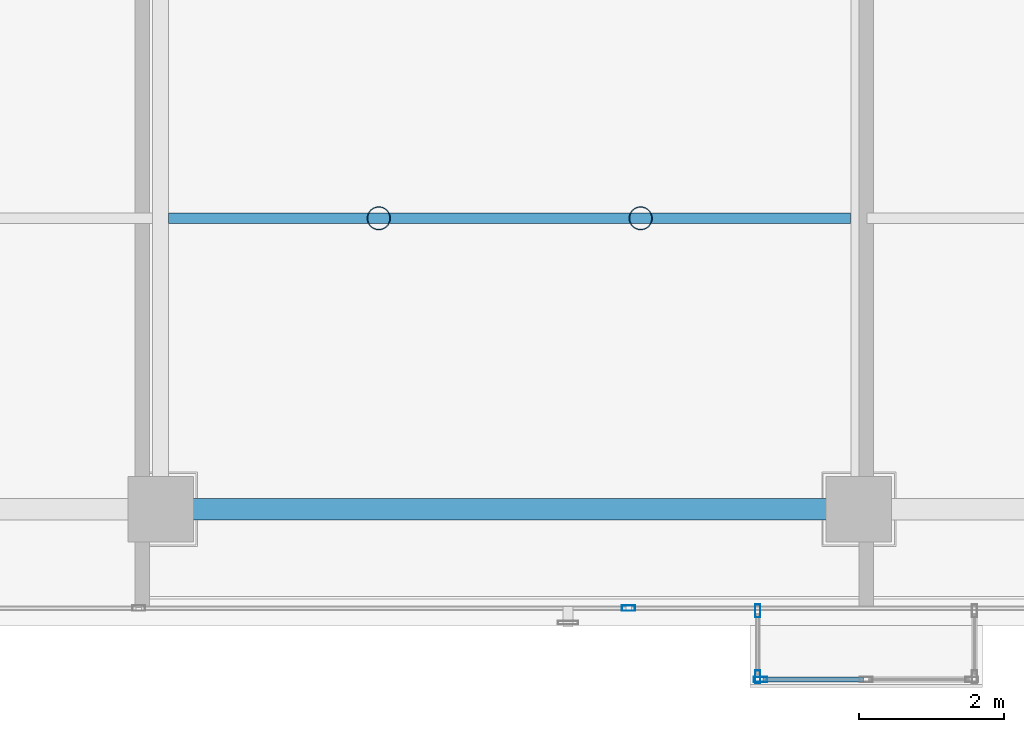
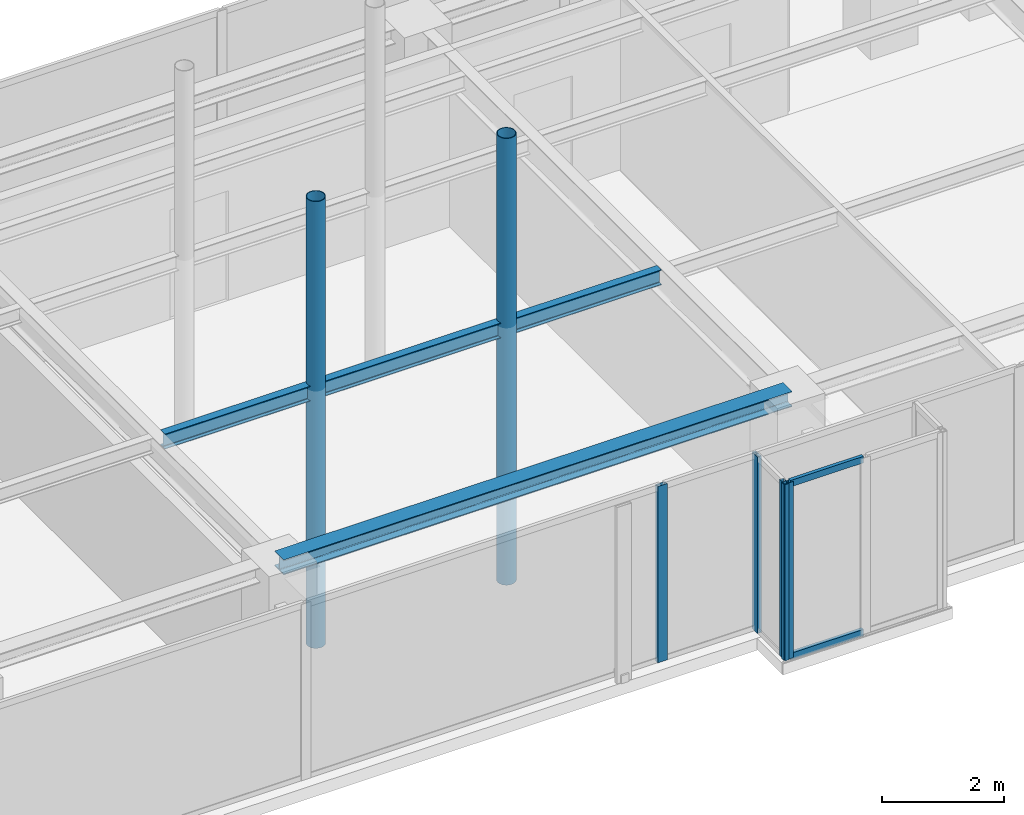
# One storey, part 7 of 32: 8 members, 2 beams, 3 elements without a shape of their own.
"""IFC4 building model written with IfcOpenShell, lengths in metres."""

import ifcopenshell
import ifcopenshell.guid

model = None  # the IFC model being written
_history = None  # IfcOwnerHistory: only IFC2X3 demands one
_inside = {}  # id of a spatial element -> (the spatial element, [elements in it])
_under = {}  # id of a project, library or spatial element -> (it, [spatial elements below it])
_declared = {}  # id of a project -> (the project, [libraries it declares])
_typed = {}  # id of a type object -> (the type object, [elements of that type])
_made_of = {}  # id of a material, layer set ... -> (it, [elements and type objects made of it])


def new_model(schema):
    """Start an empty IFC model of exactly this schema.

    Asked for "IFC4X3", IfcOpenShell would pick the latest addendum, in which some entities
    have other attributes; the version numbers below select the first issue.
    IFC2X3 requires an IfcOwnerHistory on every rooted entity: one is made here for all.
    """
    global model, _history
    if schema == "IFC4X3":
        model = ifcopenshell.file(schema_version=(4, 3, 0, 0))
    else:
        model = ifcopenshell.file(schema=schema)
    _inside.clear()
    _under.clear()
    _declared.clear()
    _typed.clear()
    _made_of.clear()
    _history = None
    if model.schema == "IFC2X3":
        org = make("IfcOrganization", Name="unknown")
        user = make(
            "IfcPersonAndOrganization",
            ThePerson=make("IfcPerson", FamilyName="unknown"),
            TheOrganization=org,
        )
        app = make(
            "IfcApplication",
            ApplicationDeveloper=org,
            Version="unknown",
            ApplicationFullName="unknown",
            ApplicationIdentifier="unknown",
        )
        _history = make(
            "IfcOwnerHistory",
            OwningUser=user,
            OwningApplication=app,
            ChangeAction="ADDED",
            CreationDate=0,
        )
    return model


def make(cls, **values):
    """One entity of the class cls with the attributes given. An attribute that is None is left unset."""
    return model.create_entity(
        cls, **{name: value for name, value in values.items() if value is not None}
    )


def rooted(cls, **values):
    """An entity with a GlobalId (a new one), such as an element, a storey or a relation."""
    return make(cls, GlobalId=ifcopenshell.guid.new(), OwnerHistory=_history, **values)


def si_unit(unit_type, name, prefix=None):
    """IfcSIUnit, for example si_unit("LENGTHUNIT", "METRE", prefix="MILLI")."""
    return make("IfcSIUnit", UnitType=unit_type, Prefix=prefix, Name=name)


def assignment(units):
    """IfcUnitAssignment: the units of a project."""
    return None if units is None else make("IfcUnitAssignment", Units=units)


def point(xyz):
    """IfcCartesianPoint."""
    return None if xyz is None else make("IfcCartesianPoint", Coordinates=xyz)


def direction(xyz):
    """IfcDirection."""
    return None if xyz is None else make("IfcDirection", DirectionRatios=xyz)


def frame(location, z_axis=None, x_axis=None):
    """IfcAxis2Placement3D, a coordinate frame: its origin and axes. An axis left out is left unset."""
    return make(
        "IfcAxis2Placement3D",
        Location=point(location),
        Axis=direction(z_axis),
        RefDirection=direction(x_axis),
    )


def frame_2d(location, x_axis=None):
    """IfcAxis2Placement2D, a coordinate frame in the plane: its origin and x axis."""
    return make(
        "IfcAxis2Placement2D", Location=point(location), RefDirection=direction(x_axis)
    )


def origin():
    """The frame at (0, 0, 0) with its axes left unset."""
    return frame((0.0, 0.0, 0.0))


def origin_with_axes():
    """The frame at (0, 0, 0) with the z axis (0, 0, 1) and the x axis (1, 0, 0) written out."""
    return frame((0.0, 0.0, 0.0), z_axis=(0.0, 0.0, 1.0), x_axis=(1.0, 0.0, 0.0))


def origin_2d():
    """The frame at (0, 0) in the plane with its x axis left unset."""
    return frame_2d((0.0, 0.0))


def place(relative_to, where):
    """IfcLocalPlacement: puts the frame where relative to a parent placement (None: the world)."""
    return make(
        "IfcLocalPlacement", PlacementRelTo=relative_to, RelativePlacement=where
    )


def context(
    kind, dimensions, precision=None, world=None, true_north=None, identifier=None
):
    """IfcGeometricRepresentationContext, for example the 3D "Model" context."""
    return make(
        "IfcGeometricRepresentationContext",
        ContextIdentifier=identifier,
        ContextType=kind,
        CoordinateSpaceDimension=dimensions,
        Precision=precision,
        WorldCoordinateSystem=world,
        TrueNorth=true_north,
    )


def subcontext(parent, identifier, kind, view, scale=None):
    """IfcGeometricRepresentationSubContext, for example "Body" below "Model"."""
    return make(
        "IfcGeometricRepresentationSubContext",
        ContextIdentifier=identifier,
        ContextType=kind,
        ParentContext=parent,
        TargetScale=scale,
        TargetView=view,
    )


def project(units=None, contexts=None):
    """IfcProject with its units and contexts."""
    return rooted(
        "IfcProject",
        Name="project",
        RepresentationContexts=contexts,
        UnitsInContext=assignment(units),
    )


def spatial(cls, under=None, at=None, **own):
    """A site, building, storey or space (cls), placed at a placement, below another one or the project."""
    s = rooted(cls, ObjectPlacement=at, **own)
    if under is not None:
        _under.setdefault(under.id(), (under, []))[1].append(s)
    return s


def profile(cls, at=None, kind="AREA", **sizes):
    """A parametric profile (cls). Its sizes go by their IFC names, for example OverallWidth=200.0."""
    return make(cls, ProfileType=kind, Position=at, **sizes)


def hollow_rectangle(**sizes):
    """IfcRectangleHollowProfileDef."""
    return profile("IfcRectangleHollowProfileDef", **sizes)


def hollow_circle(**sizes):
    """IfcCircleHollowProfileDef."""
    return profile("IfcCircleHollowProfileDef", **sizes)


def i_section(**sizes):
    """IfcIShapeProfileDef."""
    return profile("IfcIShapeProfileDef", **sizes)


def extrude(swept, where, along, depth):
    """IfcExtrudedAreaSolid: the profile swept, set in the frame where, extruded along a direction by depth."""
    return make(
        "IfcExtrudedAreaSolid",
        SweptArea=swept,
        Position=where,
        ExtrudedDirection=direction(along),
        Depth=depth,
    )


def shape(context_of_items, identifier, shape_type, items):
    """IfcShapeRepresentation: the items that make up one representation, for example the "Body"."""
    return make(
        "IfcShapeRepresentation",
        ContextOfItems=context_of_items,
        RepresentationIdentifier=identifier,
        RepresentationType=shape_type,
        Items=items,
    )


def source(mapping_origin, context_of_items, identifier, shape_type, items):
    """IfcRepresentationMap: a shape defined once, which mapped items show again and again."""
    return make(
        "IfcRepresentationMap",
        MappingOrigin=mapping_origin,
        MappedRepresentation=shape(context_of_items, identifier, shape_type, items),
    )


def transform(
    local_origin,
    x_axis=None,
    y_axis=None,
    z_axis=None,
    scale=None,
    scale2=None,
    scale3=None,
    uniform=True,
):
    """IfcCartesianTransformationOperator3D, or its non-uniform kind. x_axis, y_axis, z_axis: its Axis1, 2, 3."""
    if uniform:
        return make(
            "IfcCartesianTransformationOperator3D",
            Axis1=direction(x_axis),
            Axis2=direction(y_axis),
            LocalOrigin=point(local_origin),
            Scale=scale,
            Axis3=direction(z_axis),
        )
    return make(
        "IfcCartesianTransformationOperator3DnonUniform",
        Axis1=direction(x_axis),
        Axis2=direction(y_axis),
        LocalOrigin=point(local_origin),
        Scale=scale,
        Axis3=direction(z_axis),
        Scale2=scale2,
        Scale3=scale3,
    )


def mapped(mapping_source, mapping_target):
    """IfcMappedItem: shows the shape of a source again, moved by a transform."""
    return make(
        "IfcMappedItem", MappingSource=mapping_source, MappingTarget=mapping_target
    )


def material(Name=None, Category=None):
    """IfcMaterial."""
    return make("IfcMaterial", Name=Name, Category=Category)


def layer(
    of_material, thickness, ventilated=None, Name=None, Category=None, Priority=None
):
    """IfcMaterialLayer: one layer of a wall or slab, of a material (None: an air gap)."""
    return make(
        "IfcMaterialLayer",
        Material=of_material,
        LayerThickness=thickness,
        IsVentilated=ventilated,
        Name=Name,
        Category=Category,
        Priority=Priority,
    )


def layer_set(layers, Name=None):
    """IfcMaterialLayerSet."""
    return make("IfcMaterialLayerSet", MaterialLayers=layers, LayerSetName=Name)


def material_profile(
    of_material, cross_section, Name=None, Category=None, Priority=None
):
    """IfcMaterialProfile: a cross section and its material."""
    return make(
        "IfcMaterialProfile",
        Name=Name,
        Material=of_material,
        Profile=cross_section,
        Priority=Priority,
        Category=Category,
    )


def profile_set(profiles, Name=None, composite=None):
    """IfcMaterialProfileSet."""
    return make(
        "IfcMaterialProfileSet",
        Name=Name,
        MaterialProfiles=profiles,
        CompositeProfile=composite,
    )


def made_of(thing, what):
    """Note that an element or type object is made of a material, layer set ...; save() writes the relation."""
    if what is not None:
        _made_of.setdefault(what.id(), (what, []))[1].append(thing)
    return thing


def type_object(cls, material=None, **own):
    """A type object (cls), such as IfcWallType, which elements share."""
    return made_of(rooted(cls, **own), material)


def element(
    cls,
    number,
    at=None,
    inside=None,
    cuts=None,
    type_object=None,
    material=None,
    context=None,
    identifier="Body",
    shape_type=None,
    held_by="IfcProductDefinitionShape",
    body=None,
    shapes=None,
    **own,
):
    """One element of the class cls, such as IfcWall. Its Tag is "e" and its number.

    at: its placement. inside: the storey or other place that contains it. cuts: it is an
    opening in that element (IfcRelVoidsElement). A single representation is given by context,
    identifier, shape_type and body (its items); several are given by shapes. held_by: the class
    of the entity that holds the representations. save() writes the other relations.
    """
    e = rooted(cls, Tag="e%d" % number, ObjectPlacement=at, **own)
    if body is not None:
        shapes = [shape(context, identifier, shape_type, body)]
    if shapes is not None:
        e.Representation = make(held_by, Representations=shapes)
    if inside is not None:
        _inside.setdefault(inside.id(), (inside, []))[1].append(e)
    if cuts is not None:
        rooted(
            "IfcRelVoidsElement", RelatingBuildingElement=cuts, RelatedOpeningElement=e
        )
    if type_object is not None:
        _typed.setdefault(type_object.id(), (type_object, []))[1].append(e)
    return made_of(e, material)


def aggregate(whole, parts):
    """IfcRelAggregates: a whole, such as a stair, and the parts it consists of."""
    return rooted("IfcRelAggregates", RelatingObject=whole, RelatedObjects=parts)


def save(model, path):
    """Write the relations noted so far, then the file.

    IfcRelAggregates (storeys below a building ...), IfcRelContainedInSpatialStructure (elements
    in a storey), IfcRelDefinesByType, IfcRelAssociatesMaterial and IfcRelDeclares: one each for
    every whole, place, type object, material and project.
    """
    for whole, parts in _under.values():
        aggregate(whole, parts)
    for where, things in _inside.values():
        rooted(
            "IfcRelContainedInSpatialStructure",
            RelatedElements=things,
            RelatingStructure=where,
        )
    for kind, things in _typed.values():
        rooted("IfcRelDefinesByType", RelatedObjects=things, RelatingType=kind)
    for what, things in _made_of.values():
        rooted("IfcRelAssociatesMaterial", RelatedObjects=things, RelatingMaterial=what)
    for by, libraries in _declared.values():
        rooted("IfcRelDeclares", RelatingContext=by, RelatedDefinitions=libraries)
    model.write(path)


model = new_model("IFC4")

# Units and contexts
model_context = context("Model", 3, precision=1e-05, world=origin(), true_north=direction((0.0, 1.0)))
body_context = subcontext(model_context, "Body", "Model", "MODEL_VIEW")
ifc_project = project(units=[si_unit("LENGTHUNIT", "METRE"), si_unit("AREAUNIT", "SQUARE_METRE"), si_unit("VOLUMEUNIT", "CUBIC_METRE"), si_unit("PLANEANGLEUNIT", "RADIAN"), si_unit("MASSUNIT", "GRAM", prefix="KILO")], contexts=[model_context])

# Site, building, storey
site_placement = place(None, origin())
site = spatial("IfcSite", under=ifc_project, at=site_placement, CompositionType="ELEMENT")
building_placement = place(site_placement, origin())
building = spatial("IfcBuilding", under=site, at=building_placement, Name="Kolvaren Waterfront Exchange", CompositionType="ELEMENT")
storey_placement = place(building_placement, frame((0.0, 0.0, 348.10009765625)))
storey = spatial("IfcBuildingStorey", under=building, at=storey_placement, Name="L89", CompositionType="ELEMENT", Elevation=348.10009765625)

# Beams
ifc_material_1 = material(Name="Steel S355", Category="steel")
ifc_material_profile_1 = material_profile(ifc_material_1, i_section(OverallWidth=0.300048828125, OverallDepth=0.300048828125, WebThickness=0.010986328125, FlangeThickness=0.01904296875, FilletRadius=0.027099609375, at=origin_2d()), Name="HEB300")
ifc_profile_set_1 = profile_set([ifc_material_profile_1], Name="Steel S355")
beam_type_1 = type_object("IfcBeamType", Name="STR-BM-HEB300", PredefinedType="SPANDREL", material=ifc_profile_set_1)
beam_1_placement = place(storey_placement, frame((27.199951171875, 5.199951171875, 3.369873046875), z_axis=(1.0, 0.0, 0.0), x_axis=(0.0, 1.0, 0.0)))
element("IfcBeam", 1, at=beam_1_placement, inside=storey, type_object=beam_type_1, Name="L89 east-arm spandrel S2", PredefinedType="SPANDREL", context=body_context, shape_type="SweptSolid", body=[
    extrude(i_section(OverallWidth=0.300048828125, OverallDepth=0.300048828125, WebThickness=0.010986328125, FlangeThickness=0.01904296875, FilletRadius=0.027099609375, at=origin_2d()), origin(), (0.0, 0.0, 1.0), 9.60009765625),
])
ifc_material_profile_2 = material_profile(ifc_material_1, i_section(OverallWidth=0.14990234375, OverallDepth=0.300048828125, WebThickness=0.007080078125, FlangeThickness=0.0107421875, FilletRadius=0.014892578125, at=origin_2d()), Name="IPE300")
ifc_profile_set_2 = profile_set([ifc_material_profile_2], Name="Steel S355")
beam_type_2 = type_object("IfcBeamType", Name="STR-BM-IPE300", PredefinedType="JOIST", material=ifc_profile_set_2)
beam_2_placement = place(storey_placement, frame((27.31201171875, 9.199951171875, 3.369873046875), z_axis=(1.0, 0.0, 0.0), x_axis=(0.0, 1.0, 0.0)))
element("IfcBeam", 2, at=beam_2_placement, inside=storey, type_object=beam_type_2, Name="L89 east-arm composite joist 2B", PredefinedType="JOIST", context=body_context, shape_type="SweptSolid", body=[
    extrude(i_section(OverallWidth=0.14990234375, OverallDepth=0.300048828125, WebThickness=0.007080078125, FlangeThickness=0.0107421875, FilletRadius=0.014892578125, at=origin_2d()), origin(), (0.0, 0.0, 1.0), 9.3759765625),
])

# Members
ifc_material_2 = material(Name="Steel S460", Category="steel")
ifc_material_profile_3 = material_profile(ifc_material_2, hollow_circle(Radius=0.161865234375, WallThickness=0.012451171875, at=origin_2d()), Name="CHS323.9x12.5")
ifc_profile_set_3 = profile_set([ifc_material_profile_3], Name="Steel S460")
member_type_1 = type_object("IfcMemberType", Name="STR-ST-CHS323", PredefinedType="STRUT", material=ifc_profile_set_3)
for number, where, z_axis, x_axis, name in (
    (3, (30.199951171875, 9.199951171875, -1.7001953125), (0.0, 0.0, 1.0), (1.0, 0.0, 0.0), "Crown 520t TUNED MASS DAMPER pendulum hanger 1"),
    (4, (33.800048828125, 9.199951171875, -1.7001953125), (0.0, 0.0, 1.0), (1.0, 0.0, 0.0), "Crown 520t TUNED MASS DAMPER pendulum hanger 2"),
):
    element("IfcMember", number, at=place(storey_placement, frame(where, z_axis=z_axis, x_axis=x_axis)), inside=storey, type_object=member_type_1, Name=name, PredefinedType="STRUT", context=body_context, shape_type="SweptSolid", body=[
        extrude(hollow_circle(Radius=0.161865234375, WallThickness=0.012451171875, at=origin_2d()), origin(), (0.0, 0.0, 1.0), 8.920166015625),
    ])

# Curtain wall, members
ifc_material_3 = material(Name="Anodised bronze aluminium 6063-T6", Category="aluminium")
ifc_layer_1 = layer(ifc_material_3, 0.219970703125, Name="Anodised bronze aluminium 6063-T6")
ifc_layer_set_1 = layer_set([ifc_layer_1], Name="Anodised bronze aluminium 6063-T6")
curtain_wall_type_1 = type_object("IfcCurtainWallType", Name="ARC-CW-SYS3", PredefinedType="USERDEFINED", material=ifc_layer_set_1)
curtain_wall_1_placement = place(storey_placement, origin())
curtain_wall_1 = element("IfcCurtainWall", 5, at=curtain_wall_1_placement, inside=storey, type_object=curtain_wall_type_1, Name="L89 stick curtain wall CW3 (CW-L89-BOX)", ObjectType="STICK CURTAIN WALL", PredefinedType="USERDEFINED")
ifc_material_profile_4 = material_profile(ifc_material_3, hollow_rectangle(XDim=0.06494140625, YDim=0.1298828125, WallThickness=0.00390625, at=origin_2d()), Name="ALU-TRN-130x65x4")
ifc_profile_set_4 = profile_set([ifc_material_profile_4], Name="Anodised bronze aluminium 6063-T6")
member_type_2 = type_object("IfcMemberType", Name="ARC-CWT-130", PredefinedType="USERDEFINED", material=ifc_profile_set_4)
shared_shape_1 = source(origin_with_axes(), body_context, "Body", "SweptSolid", [
    extrude(hollow_rectangle(XDim=0.06494140625, YDim=0.1298828125, WallThickness=0.00390625, at=origin_2d()), origin(), (0.0, 0.0, 1.0), 1.37744140625),
])
member_1_placement = place(storey_placement, frame((35.485107421875, 2.860107421875, 0.032470703125), z_axis=(1.0, 0.0, 0.0), x_axis=(0.0, 1.0, 0.0)))
member_1 = element("IfcMember", 6, at=member_1_placement, type_object=member_type_2, Name="CW3 transom 1.1", ObjectType="TRANSOM", PredefinedType="USERDEFINED", context=body_context, shape_type="MappedRepresentation", body=[
    mapped(shared_shape_1, transform((0.0, 0.0, 0.0), x_axis=(1.0, 0.0, 0.0), y_axis=(0.0, 1.0, 0.0), z_axis=(0.0, 0.0, 1.0), scale=1.0)),
])
member_2_placement = place(storey_placement, frame((35.485107421875, 2.860107421875, 3.4873046875), z_axis=(1.0, 0.0, 0.0), x_axis=(0.0, 1.0, 0.0)))
member_2 = element("IfcMember", 7, at=member_2_placement, type_object=member_type_2, Name="CW3 transom 1.2", ObjectType="TRANSOM", PredefinedType="USERDEFINED", context=body_context, shape_type="MappedRepresentation", body=[
    mapped(shared_shape_1, transform((0.0, 0.0, 0.0), x_axis=(1.0, 0.0, 0.0), y_axis=(0.0, 1.0, 0.0), z_axis=(0.0, 0.0, 1.0), scale=1.0)),
])

curtain_wall_2_placement = place(storey_placement, origin())
curtain_wall_2 = element("IfcCurtainWall", 8, at=curtain_wall_2_placement, inside=storey, type_object=curtain_wall_type_1, Name="L89 stick curtain wall CW3 (CW-L89-BOX-W)", ObjectType="STICK CURTAIN WALL", PredefinedType="USERDEFINED")
ifc_material_profile_5 = material_profile(ifc_material_3, hollow_rectangle(XDim=0.074951171875, YDim=0.179931640625, WallThickness=0.00439453125, at=origin_2d()), Name="ALU-MUL-180x75x4.5")
ifc_profile_set_5 = profile_set([ifc_material_profile_5], Name="Anodised bronze aluminium 6063-T6")
member_type_3 = type_object("IfcMemberType", Name="ARC-CWM-180", PredefinedType="MULLION", material=ifc_profile_set_5)
shared_shape_2 = source(origin_with_axes(), body_context, "Body", "SweptSolid", [
    extrude(hollow_rectangle(XDim=0.074951171875, YDim=0.179931640625, WallThickness=0.00439453125, at=origin_2d()), origin(), (0.0, 0.0, 1.0), 3.52001953125),
])
member_3_placement = place(storey_placement, frame((35.409912109375, 3.802490234375, 0.0), z_axis=(0.0, 0.0, 1.0), x_axis=(1.0, 0.0, 0.0)))
member_3 = element("IfcMember", 9, at=member_3_placement, type_object=member_type_3, Name="CW3 mullion 1", PredefinedType="MULLION", context=body_context, shape_type="MappedRepresentation", body=[
    mapped(shared_shape_2, transform((0.0, 0.0, 0.0), x_axis=(1.0, 0.0, 0.0), y_axis=(0.0, 1.0, 0.0), z_axis=(0.0, 0.0, 1.0), scale=1.0)),
])
member_4_placement = place(storey_placement, frame((35.409912109375, 2.8974609375, 0.0), z_axis=(0.0, 0.0, 1.0), x_axis=(1.0, 0.0, 0.0)))
member_4 = element("IfcMember", 10, at=member_4_placement, type_object=member_type_3, Name="CW3 mullion 2", PredefinedType="MULLION", context=body_context, shape_type="MappedRepresentation", body=[
    mapped(shared_shape_2, transform((0.0, 0.0, 0.0), x_axis=(1.0, 0.0, 0.0), y_axis=(0.0, 1.0, 0.0), z_axis=(0.0, 0.0, 1.0), scale=1.0)),
])
aggregate(curtain_wall_2, [member_3, member_4])

# Member
member_5_placement = place(storey_placement, frame((35.447509765625, 2.860107421875, 0.0), z_axis=(0.0, 0.0, 1.0), x_axis=(0.0, 1.0, 0.0)))
member_5 = element("IfcMember", 11, at=member_5_placement, type_object=member_type_3, Name="CW3 mullion 1", PredefinedType="MULLION", context=body_context, shape_type="MappedRepresentation", body=[
    mapped(shared_shape_2, transform((0.0, 0.0, 0.0), x_axis=(1.0, 0.0, 0.0), y_axis=(0.0, 1.0, 0.0), z_axis=(0.0, 0.0, 1.0), scale=1.0)),
])

aggregate(curtain_wall_1, [member_5, member_1, member_2])

# Curtain wall, member
ifc_layer_2 = layer(ifc_material_3, 0.219970703125, Name="Anodised bronze aluminium 6063-T6")
ifc_layer_set_2 = layer_set([ifc_layer_2], Name="Anodised bronze aluminium 6063-T6")
curtain_wall_type_2 = type_object("IfcCurtainWallType", Name="ARC-CW-SYS5", PredefinedType="USERDEFINED", material=ifc_layer_set_2)
curtain_wall_3_placement = place(storey_placement, origin())
curtain_wall_3 = element("IfcCurtainWall", 12, at=curtain_wall_3_placement, inside=storey, type_object=curtain_wall_type_2, Name="L89 stick curtain wall CW5 (CW-L89-S)", ObjectType="STICK CURTAIN WALL", PredefinedType="USERDEFINED")
member_6_placement = place(storey_placement, frame((33.63330078125, 3.840087890625, 0.0), z_axis=(0.0, 0.0, 1.0), x_axis=(0.0, 1.0, 0.0)))
member_6 = element("IfcMember", 13, at=member_6_placement, type_object=member_type_3, Name="CW5 mullion 5", PredefinedType="MULLION", context=body_context, shape_type="MappedRepresentation", body=[
    mapped(shared_shape_2, transform((0.0, 0.0, 0.0), x_axis=(1.0, 0.0, 0.0), y_axis=(0.0, 1.0, 0.0), z_axis=(0.0, 0.0, 1.0), scale=1.0)),
])
aggregate(curtain_wall_3, [member_6])

save(model, "model.ifc")
